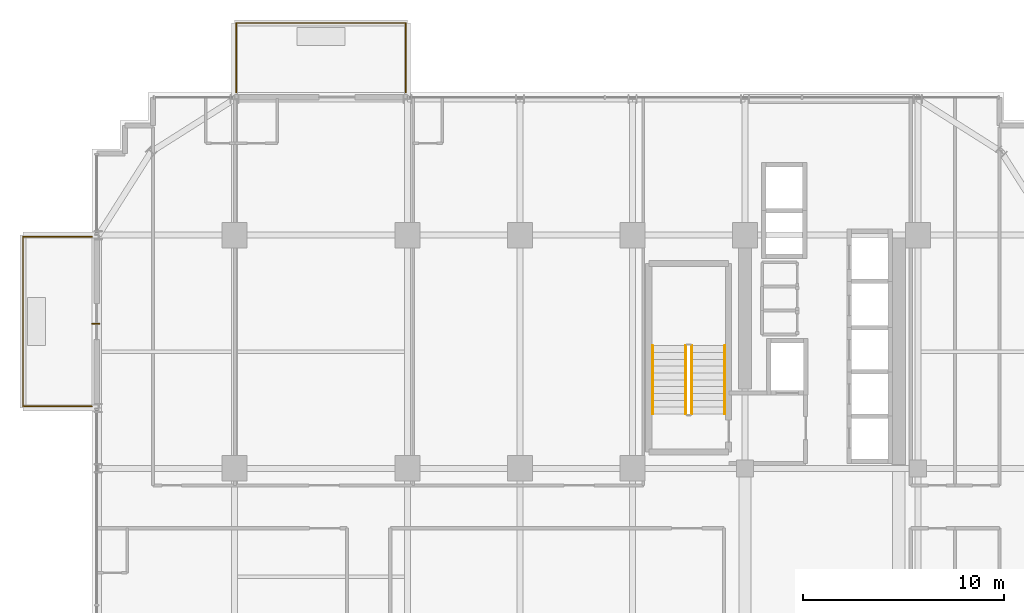
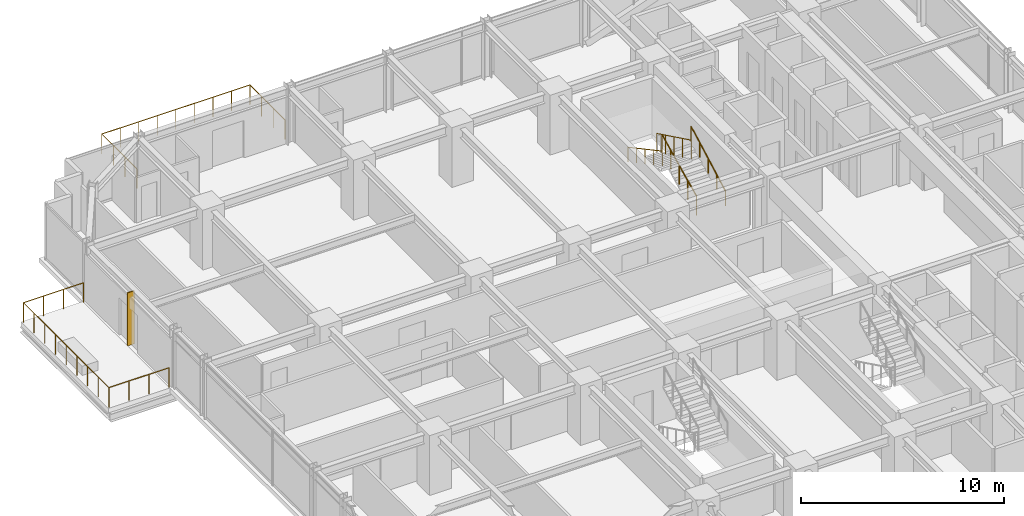
# One storey, part 33 of 35: 6 railings, 1 shading device.
"""IFC4 building model written with IfcOpenShell, lengths in metres."""

from ifc_helpers import new_model, si_unit, direction, frame, origin, origin_2d, place, context, subcontext, project, spatial, rectangle, circle, extrude, source, transform, mapped, material, layer, layer_set, type_object, element, save


model = new_model("IFC4")

# Units and contexts
model_context = context("Model", 3, precision=1e-05, world=origin(), true_north=direction((0.0, 1.0)))
body_context = subcontext(model_context, "Body", "Model", "MODEL_VIEW")
ifc_project = project(units=[si_unit("LENGTHUNIT", "METRE"), si_unit("AREAUNIT", "SQUARE_METRE"), si_unit("VOLUMEUNIT", "CUBIC_METRE"), si_unit("PLANEANGLEUNIT", "RADIAN"), si_unit("MASSUNIT", "GRAM", prefix="KILO")], contexts=[model_context])

# Site, building, storey
site_placement = place(None, origin())
site = spatial("IfcSite", under=ifc_project, at=site_placement, CompositionType="ELEMENT")
building_placement = place(site_placement, origin())
building = spatial("IfcBuilding", under=site, at=building_placement, Name="Nahalor Promenade Grand Hotel", CompositionType="ELEMENT")
storey_placement = place(building_placement, frame((0.0, 0.0, 121.14990234375)))
storey = spatial("IfcBuildingStorey", under=building, at=storey_placement, Name="L30", CompositionType="ELEMENT", Elevation=121.14990234375)

# Railings
ifc_material_1 = material(Name="Anodised Bronze Aluminium EN AW-6063 T6", Category="aluminium")
railing_type_1 = type_object("IfcRailingType", Name="Bronze Balcony Guardrail 1200 mm", PredefinedType="GUARDRAIL", material=ifc_material_1)
railing_1_placement = place(storey_placement, frame((-16.919921875, 24.10009765625, 0.0)))
element("IfcRailing", 1, at=railing_1_placement, inside=storey, type_object=railing_type_1, Name="L30 Balcony Guardrail 1", PredefinedType="GUARDRAIL", context=body_context, shape_type="SweptSolid", body=[
    extrude(circle(Radius=0.024048, at=origin_2d()), frame((0.0, 0.0, 1.17578125), z_axis=(0.0, 1.0, 0.0), x_axis=(-1.0, 0.0, 0.0)), (0.0, 0.0, 1.0), 3.4580078125),
    extrude(circle(Radius=0.024048, at=origin_2d()), frame((0.001953125, 3.4599609375, 1.17578125), z_axis=(1.0, 0.0, 0.0), x_axis=(0.0, 1.0, 0.0)), (0.0, 0.0, 1.0), 8.43603515625),
    extrude(circle(Radius=0.024048, at=origin_2d()), frame((8.43994140625, 3.4580078125, 1.17578125), z_axis=(0.0, -1.0, 0.0), x_axis=(1.0, 0.0, 0.0)), (0.0, 0.0, 1.0), 3.4580078125),
    extrude(circle(Radius=0.020996, at=origin_2d()), origin(), (0.0, 0.0, 1.0), 1.14990234375),
    extrude(circle(Radius=0.020996, at=origin_2d()), frame((0.0, 1.1533203125, 0.0)), (0.0, 0.0, 1.0), 1.14990234375),
    extrude(circle(Radius=0.020996, at=origin_2d()), frame((0.0, 2.306640625, 0.0)), (0.0, 0.0, 1.0), 1.14990234375),
    extrude(circle(Radius=0.020996, at=origin_2d()), frame((0.0, 3.4599609375, 0.0)), (0.0, 0.0, 1.0), 1.14990234375),
    extrude(circle(Radius=0.020996, at=origin_2d()), frame((1.054931640625, 3.4599609375, 0.0)), (0.0, 0.0, 1.0), 1.14990234375),
    extrude(circle(Radius=0.020996, at=origin_2d()), frame((2.10986328125, 3.4599609375, 0.0)), (0.0, 0.0, 1.0), 1.14990234375),
    extrude(circle(Radius=0.020996, at=origin_2d()), frame((3.1650390625, 3.4599609375, 0.0)), (0.0, 0.0, 1.0), 1.14990234375),
    extrude(circle(Radius=0.020996, at=origin_2d()), frame((4.219970703125, 3.4599609375, 0.0)), (0.0, 0.0, 1.0), 1.14990234375),
    extrude(circle(Radius=0.020996, at=origin_2d()), frame((5.27490234375, 3.4599609375, 0.0)), (0.0, 0.0, 1.0), 1.14990234375),
    extrude(circle(Radius=0.020996, at=origin_2d()), frame((6.330078125, 3.4599609375, 0.0)), (0.0, 0.0, 1.0), 1.14990234375),
    extrude(circle(Radius=0.020996, at=origin_2d()), frame((7.385009765625, 3.4599609375, 0.0)), (0.0, 0.0, 1.0), 1.14990234375),
    extrude(circle(Radius=0.020996, at=origin_2d()), frame((8.43994140625, 3.4599609375, 0.0)), (0.0, 0.0, 1.0), 1.14990234375),
    extrude(circle(Radius=0.020996, at=origin_2d()), frame((8.43994140625, 2.306640625, 0.0)), (0.0, 0.0, 1.0), 1.14990234375),
    extrude(circle(Radius=0.020996, at=origin_2d()), frame((8.43994140625, 1.1533203125, 0.0)), (0.0, 0.0, 1.0), 1.14990234375),
    extrude(circle(Radius=0.020996, at=origin_2d()), frame((8.43994140625, 0.0, 0.0)), (0.0, 0.0, 1.0), 1.14990234375),
])
railing_2_placement = place(storey_placement, frame((-24.10009765625, 8.47998046875, 0.0)))
element("IfcRailing", 2, at=railing_2_placement, inside=storey, type_object=railing_type_1, Name="L30 Balcony Guardrail 2", PredefinedType="GUARDRAIL", context=body_context, shape_type="SweptSolid", body=[
    extrude(circle(Radius=0.024048, at=origin_2d()), frame((0.0, 0.0, 1.17578125), z_axis=(-1.0, 0.0, 0.0), x_axis=(0.0, -1.0, 0.0)), (0.0, 0.0, 1.0), 3.427978515625),
    extrude(circle(Radius=0.024048, at=origin_2d()), frame((-3.429931640625, 0.001953125, 1.17578125), z_axis=(0.0, 1.0, 0.0), x_axis=(-1.0, 0.0, 0.0)), (0.0, 0.0, 1.0), 8.43603515625),
    extrude(circle(Radius=0.024048, at=origin_2d()), frame((-3.427978515625, 8.43994140625, 1.17578125), z_axis=(1.0, 0.0, 0.0), x_axis=(0.0, 1.0, 0.0)), (0.0, 0.0, 1.0), 3.427978515625),
    extrude(circle(Radius=0.020996, at=origin_2d()), origin(), (0.0, 0.0, 1.0), 1.14990234375),
    extrude(circle(Radius=0.020996, at=origin_2d()), frame((-1.143310546875, 0.0, 0.0)), (0.0, 0.0, 1.0), 1.14990234375),
    extrude(circle(Radius=0.020996, at=origin_2d()), frame((-2.28662109375, 0.0, 0.0)), (0.0, 0.0, 1.0), 1.14990234375),
    extrude(circle(Radius=0.020996, at=origin_2d()), frame((-3.429931640625, 0.0, 0.0)), (0.0, 0.0, 1.0), 1.14990234375),
    extrude(circle(Radius=0.020996, at=origin_2d()), frame((-3.429931640625, 1.054931640625, 0.0)), (0.0, 0.0, 1.0), 1.14990234375),
    extrude(circle(Radius=0.020996, at=origin_2d()), frame((-3.429931640625, 2.10986328125, 0.0)), (0.0, 0.0, 1.0), 1.14990234375),
    extrude(circle(Radius=0.020996, at=origin_2d()), frame((-3.429931640625, 3.1650390625, 0.0)), (0.0, 0.0, 1.0), 1.14990234375),
    extrude(circle(Radius=0.020996, at=origin_2d()), frame((-3.429931640625, 4.219970703125, 0.0)), (0.0, 0.0, 1.0), 1.14990234375),
    extrude(circle(Radius=0.020996, at=origin_2d()), frame((-3.429931640625, 5.27490234375, 0.0)), (0.0, 0.0, 1.0), 1.14990234375),
    extrude(circle(Radius=0.020996, at=origin_2d()), frame((-3.429931640625, 6.330078125, 0.0)), (0.0, 0.0, 1.0), 1.14990234375),
    extrude(circle(Radius=0.020996, at=origin_2d()), frame((-3.429931640625, 7.385009765625, 0.0)), (0.0, 0.0, 1.0), 1.14990234375),
    extrude(circle(Radius=0.020996, at=origin_2d()), frame((-3.429931640625, 8.43994140625, 0.0)), (0.0, 0.0, 1.0), 1.14990234375),
    extrude(circle(Radius=0.020996, at=origin_2d()), frame((-2.28662109375, 8.43994140625, 0.0)), (0.0, 0.0, 1.0), 1.14990234375),
    extrude(circle(Radius=0.020996, at=origin_2d()), frame((-1.143310546875, 8.43994140625, 0.0)), (0.0, 0.0, 1.0), 1.14990234375),
    extrude(circle(Radius=0.020996, at=origin_2d()), frame((0.0, 8.43994140625, 0.0)), (0.0, 0.0, 1.0), 1.14990234375),
])
ifc_material_2 = material(Name="Steel S355JR", Category="steel")
railing_type_2 = type_object("IfcRailingType", Name="Steel Stair Guardrail 1150 mm", PredefinedType="GUARDRAIL", material=ifc_material_2)
railing_3_placement = place(storey_placement, frame((5.75, 8.10009765625, 0.166015625)))
element("IfcRailing", 3, at=railing_3_placement, inside=storey, type_object=railing_type_2, Name="L30 ST1 stair guard 1", PredefinedType="GUARDRAIL", context=body_context, shape_type="SweptSolid", body=[
    extrude(circle(Radius=0.024048, at=origin_2d()), frame((0.0, 0.0, 1.1259765625), z_axis=(0.0, 0.898696488221, 0.438571114028), x_axis=(-1.0, 0.0, 0.0)), (0.0, 0.0, 1.0), 3.783203125),
    extrude(circle(Radius=0.020996, at=origin_2d()), origin(), (0.0, 0.0, 1.0), 1.099853515625),
    extrude(circle(Radius=0.020996, at=origin_2d()), frame((0.0, 0.85009765625, 0.414794921875)), (0.0, 0.0, 1.0), 1.099853515625),
    extrude(circle(Radius=0.020996, at=origin_2d()), frame((0.0, 1.699951171875, 0.82958984375)), (0.0, 0.0, 1.0), 1.099853515625),
    extrude(circle(Radius=0.020996, at=origin_2d()), frame((0.0, 2.5498046875, 1.244384765625)), (0.0, 0.0, 1.0), 1.099853515625),
    extrude(circle(Radius=0.020996, at=origin_2d()), frame((0.0, 3.39990234375, 1.6591796875)), (0.0, 0.0, 1.0), 1.099853515625),
])
railing_4_placement = place(storey_placement, frame((5.449951171875, 11.5, 1.990966796875)))
element("IfcRailing", 4, at=railing_4_placement, inside=storey, type_object=railing_type_2, Name="L30 ST1 stair guard 3", PredefinedType="GUARDRAIL", context=body_context, shape_type="SweptSolid", body=[
    extrude(circle(Radius=0.024048, at=origin_2d()), frame((0.0, 0.0, 1.1259765625), z_axis=(0.0, -0.898696488221, 0.438571114028), x_axis=(1.0, 0.0, 0.0)), (0.0, 0.0, 1.0), 3.783203125),
    extrude(circle(Radius=0.020996, at=origin_2d()), origin(), (0.0, 0.0, 1.0), 1.099853515625),
    extrude(circle(Radius=0.020996, at=origin_2d()), frame((0.0, -0.85009765625, 0.414794921875)), (0.0, 0.0, 1.0), 1.099853515625),
    extrude(circle(Radius=0.020996, at=origin_2d()), frame((0.0, -1.699951171875, 0.82958984375)), (0.0, 0.0, 1.0), 1.099853515625),
    extrude(circle(Radius=0.020996, at=origin_2d()), frame((0.0, -2.5498046875, 1.244384765625)), (0.0, 0.0, 1.0), 1.099853515625),
    extrude(circle(Radius=0.020996, at=origin_2d()), frame((0.0, -3.39990234375, 1.6591796875)), (0.0, 0.0, 1.0), 1.099853515625),
])
railing_type_3 = type_object("IfcRailingType", Name="Steel Stair Handrail 900 mm", PredefinedType="HANDRAIL", material=ifc_material_2)
railing_5_placement = place(storey_placement, frame((7.39990234375, 8.10009765625, 0.166015625)))
element("IfcRailing", 5, at=railing_5_placement, inside=storey, type_object=railing_type_3, Name="L30 ST1 stair handrail 1", PredefinedType="HANDRAIL", context=body_context, shape_type="SweptSolid", body=[
    extrude(circle(Radius=0.024048, at=origin_2d()), frame((0.0, 0.0, 0.8759765625), z_axis=(0.0, 0.881094038095, 0.47294111265), x_axis=(-1.0, 0.0, 0.0)), (0.0, 0.0, 1.0), 3.858642578125),
    extrude(circle(Radius=0.020996, at=origin_2d()), origin(), (0.0, 0.0, 1.0), 0.849853515625),
    extrude(circle(Radius=0.020996, at=origin_2d()), frame((0.0, 0.85009765625, 0.456298828125)), (0.0, 0.0, 1.0), 0.849853515625),
    extrude(circle(Radius=0.020996, at=origin_2d()), frame((0.0, 1.699951171875, 0.91259765625)), (0.0, 0.0, 1.0), 0.849853515625),
    extrude(circle(Radius=0.020996, at=origin_2d()), frame((0.0, 2.5498046875, 1.36865234375)), (0.0, 0.0, 1.0), 0.849853515625),
    extrude(circle(Radius=0.020996, at=origin_2d()), frame((0.0, 3.39990234375, 1.824951171875)), (0.0, 0.0, 1.0), 0.849853515625),
])
railing_6_placement = place(storey_placement, frame((3.800048828125, 11.5, 1.990966796875)))
element("IfcRailing", 6, at=railing_6_placement, inside=storey, type_object=railing_type_3, Name="L30 ST1 stair handrail 2", PredefinedType="HANDRAIL", context=body_context, shape_type="SweptSolid", body=[
    extrude(circle(Radius=0.024048, at=origin_2d()), frame((0.0, 0.0, 0.8759765625), z_axis=(0.0, -0.881094038095, 0.47294111265), x_axis=(1.0, 0.0, 0.0)), (0.0, 0.0, 1.0), 3.858642578125),
    extrude(circle(Radius=0.020996, at=origin_2d()), origin(), (0.0, 0.0, 1.0), 0.849853515625),
    extrude(circle(Radius=0.020996, at=origin_2d()), frame((0.0, -0.85009765625, 0.456298828125)), (0.0, 0.0, 1.0), 0.849853515625),
    extrude(circle(Radius=0.020996, at=origin_2d()), frame((0.0, -1.699951171875, 0.91259765625)), (0.0, 0.0, 1.0), 0.849853515625),
    extrude(circle(Radius=0.020996, at=origin_2d()), frame((0.0, -2.5498046875, 1.36865234375)), (0.0, 0.0, 1.0), 0.849853515625),
    extrude(circle(Radius=0.020996, at=origin_2d()), frame((0.0, -3.39990234375, 1.824951171875)), (0.0, 0.0, 1.0), 0.849853515625),
])

# Shading device
ifc_layer = layer(ifc_material_1, 0.06005859375)
ifc_layer_set = layer_set([ifc_layer], Name="Anodised Bronze Aluminium EN AW-6063 T6")
shading_device_type = type_object("IfcShadingDeviceType", Name="Shade-SolarFin-Bronze", PredefinedType="JALOUSIE", material=ifc_layer_set)
shared_shape = source(origin(), body_context, "Body", "SweptSolid", [
    extrude(rectangle(XDim=0.3798828125, YDim=0.06005859375, at=origin_2d()), origin(), (0.0, 0.0, 1.0), 3.199951171875),
])
shading_device_placement = place(storey_placement, frame((-23.909912109375, 12.60009765625, 0.0), z_axis=(0.0, 0.0, 1.0), x_axis=(1.0, 0.0, 0.0)))
element("IfcShadingDevice", 7, at=shading_device_placement, inside=storey, type_object=shading_device_type, Name="JAL-L30-W2", PredefinedType="JALOUSIE", context=body_context, shape_type="MappedRepresentation", body=[
    mapped(shared_shape, transform((0.0, 0.0, 0.0), scale=1.0)),
])

save(model, "model.ifc")
